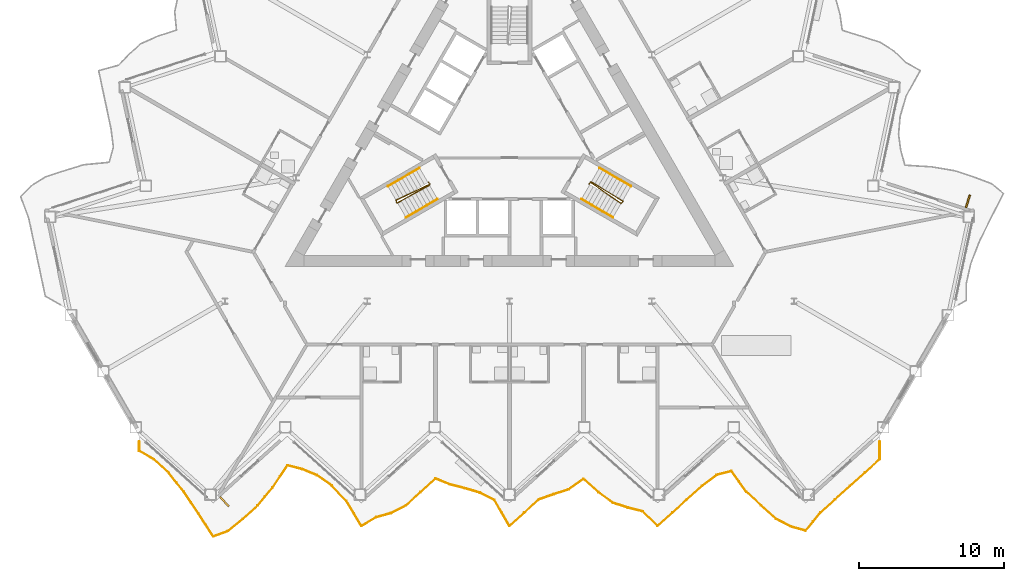
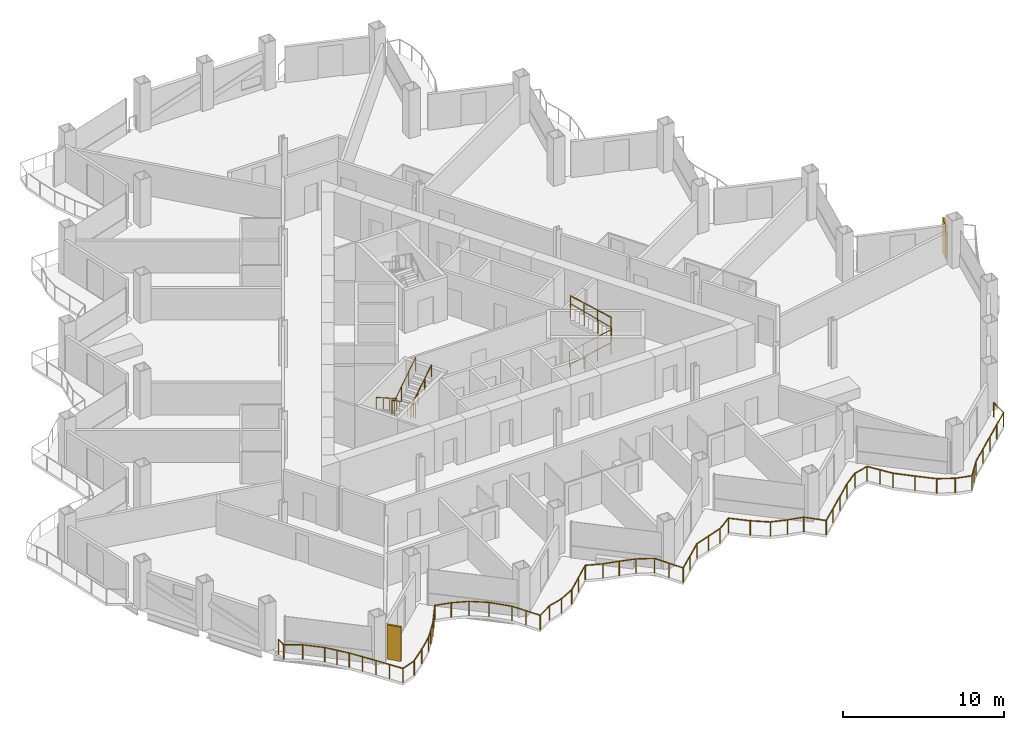
# One storey, part 19 of 23: 7 railings, 2 shading devices.
"""IFC4 building model written with IfcOpenShell, lengths in metres."""

from ifc_helpers import new_model, si_unit, direction, frame, origin, origin_2d, place, context, subcontext, project, spatial, rectangle, circle, extrude, material, layer, layer_set, type_object, element, save


model = new_model("IFC4")

# Units and contexts
model_context = context("Model", 3, precision=1e-05, world=origin(), true_north=direction((0.0, 1.0)))
body_context = subcontext(model_context, "Body", "Model", "MODEL_VIEW")
ifc_project = project(units=[si_unit("LENGTHUNIT", "METRE"), si_unit("AREAUNIT", "SQUARE_METRE"), si_unit("VOLUMEUNIT", "CUBIC_METRE"), si_unit("PLANEANGLEUNIT", "RADIAN"), si_unit("MASSUNIT", "GRAM", prefix="KILO")], contexts=[model_context])

# Site, building, storey
site_placement = place(None, origin())
site = spatial("IfcSite", under=ifc_project, at=site_placement, CompositionType="ELEMENT")
building_placement = place(site_placement, origin())
building = spatial("IfcBuilding", under=site, at=building_placement, Name="Cormorant Prow Tower", CompositionType="ELEMENT")
storey_placement = place(building_placement, frame((0.0, 0.0, 172.800048828125)))
storey = spatial("IfcBuildingStorey", under=building, at=storey_placement, Name="L36", CompositionType="ELEMENT", Elevation=172.800048828125)

# Railings
ifc_material_1 = material(Name="Aluminium 6063-T6", Category="aluminium")
railing_type_1 = type_object("IfcRailingType", Name="Balcony guard 1100", PredefinedType="GUARDRAIL", material=ifc_material_1)
railing_1_placement = place(storey_placement, frame((-25.57861328125, -21.064453125, 0.0)))
element("IfcRailing", 1, at=railing_1_placement, inside=storey, type_object=railing_type_1, Name="Balcony guard S", PredefinedType="GUARDRAIL", context=body_context, shape_type="SweptSolid", body=[
    extrude(circle(Radius=0.02392578125, at=origin_2d()), frame((0.0, 0.0, 1.076171875), z_axis=(0.0, -1.0, 0.0), x_axis=(1.0, 0.0, 0.0)), (0.0, 0.0, 1.0), 0.635986328125),
    extrude(circle(Radius=0.02392578125, at=origin_2d()), frame((0.0, -0.635986328125, 1.076171875), z_axis=(0.865369732792, -0.501133939748, 0.0), x_axis=(0.501133939748, 0.865369732792, 0.0)), (0.0, 0.0, 1.0), 1.182373046875),
    extrude(circle(Radius=0.02392578125, at=origin_2d()), frame((1.023193359375, -1.228515625, 1.076171875), z_axis=(0.737044630503, -0.675844074212, 0.0), x_axis=(0.675844074212, 0.737044630503, 0.0)), (0.0, 0.0, 1.0), 1.38818359375),
    extrude(circle(Radius=0.02392578125, at=origin_2d()), frame((2.04638671875, -2.166748046875, 1.076171875), z_axis=(0.624604168545, -0.780941503979, 0.0), x_axis=(0.780941503979, 0.624604168545, 0.0)), (0.0, 0.0, 1.0), 1.63818359375),
    extrude(circle(Radius=0.02392578125, at=origin_2d()), frame((3.069580078125, -3.446044921875, 1.076171875), z_axis=(0.558755771725, -0.829332254024, 0.0), x_axis=(0.829332254024, 0.558755771725, 0.0)), (0.0, 0.0, 1.0), 1.830810546875),
    extrude(circle(Radius=0.02392578125, at=origin_2d()), frame((4.092529296875, -4.96435546875, 1.076171875), z_axis=(0.541894185952, -0.840446721233, 0.0), x_axis=(0.840446721233, 0.541894185952, 0.0)), (0.0, 0.0, 1.0), 1.88818359375),
    extrude(circle(Radius=0.02392578125, at=origin_2d()), frame((5.11572265625, -6.55126953125, 1.076171875), z_axis=(0.938419551979, 0.345497821213, 0.0), x_axis=(-0.345497821213, 0.938419551979, 0.0)), (0.0, 0.0, 1.0), 1.09033203125),
    extrude(circle(Radius=0.02392578125, at=origin_2d()), frame((6.138916015625, -6.174560546875, 1.076171875), z_axis=(0.772600298956, 0.634892729564, 0.0), x_axis=(-0.634892729564, 0.772600298956, 0.0)), (0.0, 0.0, 1.0), 1.324462890625),
    extrude(circle(Radius=0.02392578125, at=origin_2d()), frame((7.162109375, -5.333740234375, 1.076171875), z_axis=(0.743108970185, 0.66917042555, 0.0), x_axis=(-0.66917042555, 0.743108970185, 0.0)), (0.0, 0.0, 1.0), 1.376953125),
    extrude(circle(Radius=0.02392578125, at=origin_2d()), frame((8.185302734375, -4.412353515625, 1.076171875), z_axis=(0.638534063687, 0.769593561246, 0.0), x_axis=(-0.769593561246, 0.638534063687, 0.0)), (0.0, 0.0, 1.0), 1.60205078125),
    extrude(circle(Radius=0.02392578125, at=origin_2d()), frame((9.208251953125, -3.179443359375, 1.076171875), z_axis=(0.55199216569, 0.833849296346, 0.0), x_axis=(-0.833849296346, 0.55199216569, 0.0)), (0.0, 0.0, 1.0), 1.853515625),
    extrude(circle(Radius=0.02392578125, at=origin_2d()), frame((10.2314453125, -1.6337890625, 1.076171875), z_axis=(0.968196134659, -0.250192415613, 0.0), x_axis=(0.250192415613, 0.968196134659, 0.0)), (0.0, 0.0, 1.0), 1.056884765625),
    extrude(circle(Radius=0.02392578125, at=origin_2d()), frame((11.254638671875, -1.898193359375, 1.076171875), z_axis=(0.925353395226, -0.379105650108, 0.0), x_axis=(0.379105650108, 0.925353395226, 0.0)), (0.0, 0.0, 1.0), 1.105712890625),
    extrude(circle(Radius=0.02392578125, at=origin_2d()), frame((12.27783203125, -2.3173828125, 1.076171875), z_axis=(0.818837032919, -0.574026056482, 0.0), x_axis=(0.574026056482, 0.818837032919, 0.0)), (0.0, 0.0, 1.0), 1.24951171875),
    extrude(circle(Radius=0.02392578125, at=origin_2d()), frame((13.301025390625, -3.03466796875, 1.076171875), z_axis=(0.689860705611, -0.723942129492, 0.0), x_axis=(0.723942129492, 0.689860705611, 0.0)), (0.0, 0.0, 1.0), 1.48291015625),
    extrude(circle(Radius=0.02392578125, at=origin_2d()), frame((14.323974609375, -4.108154296875, 1.076171875), z_axis=(0.511692052021, -0.859168926288, 0.0), x_axis=(0.859168926288, 0.511692052021, 0.0)), (0.0, 0.0, 1.0), 1.99951171875),
    extrude(circle(Radius=0.02392578125, at=origin_2d()), frame((15.34716796875, -5.826171875, 1.076171875), z_axis=(0.859891332532, 0.510477126065, 0.0), x_axis=(-0.510477126065, 0.859891332532, 0.0)), (0.0, 0.0, 1.0), 1.18994140625),
    extrude(circle(Radius=0.02392578125, at=origin_2d()), frame((16.370361328125, -5.21875, 1.076171875), z_axis=(0.964588333713, 0.263760016806, 0.0), x_axis=(-0.263760016806, 0.964588333713, 0.0)), (0.0, 0.0, 1.0), 1.060791015625),
    extrude(circle(Radius=0.02392578125, at=origin_2d()), frame((17.3935546875, -4.93896484375, 1.076171875), z_axis=(0.889102794107, 0.45770757205, 0.0), x_axis=(-0.45770757205, 0.889102794107, 0.0)), (0.0, 0.0, 1.0), 1.150634765625),
    extrude(circle(Radius=0.02392578125, at=origin_2d()), frame((18.41650390625, -4.412353515625, 1.076171875), z_axis=(0.743197144854, 0.669072495236, 0.0), x_axis=(-0.669072495236, 0.743197144854, 0.0)), (0.0, 0.0, 1.0), 1.376708984375),
    extrude(circle(Radius=0.02392578125, at=origin_2d()), frame((19.439697265625, -3.4912109375, 1.076171875), z_axis=(0.735819025592, 0.677178234719, 0.0), x_axis=(-0.677178234719, 0.735819025592, 0.0)), (0.0, 0.0, 1.0), 1.390625),
    extrude(circle(Radius=0.02392578125, at=origin_2d()), frame((20.462890625, -2.549560546875, 1.076171875), z_axis=(0.92843085009, -0.371505257838, 0.0), x_axis=(0.371505257838, 0.92843085009, 0.0)), (0.0, 0.0, 1.0), 1.10205078125),
    extrude(circle(Radius=0.02392578125, at=origin_2d()), frame((21.486083984375, -2.958984375, 1.076171875), z_axis=(0.968753639264, -0.24802497135, 0.0), x_axis=(0.24802497135, 0.968753639264, 0.0)), (0.0, 0.0, 1.0), 1.05615234375),
    extrude(circle(Radius=0.02392578125, at=origin_2d()), frame((22.50927734375, -3.220947265625, 1.076171875), z_axis=(0.959077058779, -0.283145184179, 0.0), x_axis=(0.283145184179, 0.959077058779, 0.0)), (0.0, 0.0, 1.0), 1.066650390625),
    extrude(circle(Radius=0.02392578125, at=origin_2d()), frame((23.5322265625, -3.52294921875, 1.076171875), z_axis=(0.891730183894, -0.45256743048, 0.0), x_axis=(0.45256743048, 0.891730183894, 0.0)), (0.0, 0.0, 1.0), 1.1474609375),
    extrude(circle(Radius=0.02392578125, at=origin_2d()), frame((24.555419921875, -4.042236328125, 1.076171875), z_axis=(0.497531823111, -0.867445724522, 0.0), x_axis=(0.867445724522, 0.497531823111, 0.0)), (0.0, 0.0, 1.0), 2.056640625),
    extrude(circle(Radius=0.02392578125, at=origin_2d()), frame((25.57861328125, -5.826171875, 1.076171875), z_axis=(0.743108970185, 0.66917042555, 0.0), x_axis=(-0.66917042555, 0.743108970185, 0.0)), (0.0, 0.0, 1.0), 1.376953125),
    extrude(circle(Radius=0.02392578125, at=origin_2d()), frame((26.601806640625, -4.90478515625, 1.076171875), z_axis=(0.743197144854, 0.669072495236, 0.0), x_axis=(-0.669072495236, 0.743197144854, 0.0)), (0.0, 0.0, 1.0), 1.376708984375),
    extrude(circle(Radius=0.02392578125, at=origin_2d()), frame((27.625, -3.983642578125, 1.076171875), z_axis=(0.945152226012, 0.326630172617, 0.0), x_axis=(-0.326630172617, 0.945152226012, 0.0)), (0.0, 0.0, 1.0), 1.082275390625),
    extrude(circle(Radius=0.02392578125, at=origin_2d()), frame((28.64794921875, -3.630126953125, 1.076171875), z_axis=(0.951438651786, 0.307838418473, 0.0), x_axis=(-0.307838418473, 0.951438651786, 0.0)), (0.0, 0.0, 1.0), 1.075439453125),
    extrude(circle(Radius=0.02392578125, at=origin_2d()), frame((29.671142578125, -3.299072265625, 1.076171875), z_axis=(0.81442879242, 0.580263510896, 0.0), x_axis=(-0.580263510896, 0.81442879242, 0.0)), (0.0, 0.0, 1.0), 1.25634765625),
    extrude(circle(Radius=0.02392578125, at=origin_2d()), frame((30.6943359375, -2.570068359375, 1.076171875), z_axis=(0.743197144854, -0.669072495236, 0.0), x_axis=(0.669072495236, 0.743197144854, 0.0)), (0.0, 0.0, 1.0), 1.376708984375),
    extrude(circle(Radius=0.02392578125, at=origin_2d()), frame((31.717529296875, -3.4912109375, 1.076171875), z_axis=(0.812041196675, -0.583600115578, 0.0), x_axis=(0.583600115578, 0.812041196675, 0.0)), (0.0, 0.0, 1.0), 1.260009765625),
    extrude(circle(Radius=0.02392578125, at=origin_2d()), frame((32.74072265625, -4.2265625, 1.076171875), z_axis=(0.950950641139, -0.309342654862, 0.0), x_axis=(0.309342654862, 0.950950641139, 0.0)), (0.0, 0.0, 1.0), 1.07568359375),
    extrude(circle(Radius=0.02392578125, at=origin_2d()), frame((33.763671875, -4.559326171875, 1.076171875), z_axis=(0.970400732326, -0.241500349276, 0.0), x_axis=(0.241500349276, 0.970400732326, 0.0)), (0.0, 0.0, 1.0), 1.054443359375),
    extrude(circle(Radius=0.02392578125, at=origin_2d()), frame((34.786865234375, -4.81396484375, 1.076171875), z_axis=(0.710913122536, -0.703279839187, 0.0), x_axis=(0.703279839187, 0.710913122536, 0.0)), (0.0, 0.0, 1.0), 1.439208984375),
    extrude(circle(Radius=0.02392578125, at=origin_2d()), frame((35.81005859375, -5.826171875, 1.076171875), z_axis=(0.743108970185, 0.66917042555, 0.0), x_axis=(-0.66917042555, 0.743108970185, 0.0)), (0.0, 0.0, 1.0), 1.376953125),
    extrude(circle(Radius=0.02392578125, at=origin_2d()), frame((36.833251953125, -4.90478515625, 1.076171875), z_axis=(0.743117745205, 0.669160680825, 0.0), x_axis=(-0.669160680825, 0.743117745205, 0.0)), (0.0, 0.0, 1.0), 1.37646484375),
    extrude(circle(Radius=0.02392578125, at=origin_2d()), frame((37.856201171875, -3.983642578125, 1.076171875), z_axis=(0.743197144854, 0.669072495236, 0.0), x_axis=(-0.669072495236, 0.743197144854, 0.0)), (0.0, 0.0, 1.0), 1.376708984375),
    extrude(circle(Radius=0.02392578125, at=origin_2d()), frame((38.87939453125, -3.0625, 1.076171875), z_axis=(0.798557204697, 0.601918923798, 0.0), x_axis=(-0.601918923798, 0.798557204697, 0.0)), (0.0, 0.0, 1.0), 1.28125),
    extrude(circle(Radius=0.02392578125, at=origin_2d()), frame((39.902587890625, -2.291259765625, 1.076171875), z_axis=(0.968975460604, 0.247156947599, 0.0), x_axis=(-0.247156947599, 0.968975460604, 0.0)), (0.0, 0.0, 1.0), 1.055908203125),
    extrude(circle(Radius=0.02392578125, at=origin_2d()), frame((40.92578125, -2.0302734375, 1.076171875), z_axis=(0.580347116889, -0.814369218426, 0.0), x_axis=(0.814369218426, 0.580347116889, 0.0)), (0.0, 0.0, 1.0), 1.76318359375),
    extrude(circle(Radius=0.02392578125, at=origin_2d()), frame((41.948974609375, -3.466064453125, 1.076171875), z_axis=(0.734077605902, -0.679065584839, 0.0), x_axis=(0.679065584839, 0.734077605902, 0.0)), (0.0, 0.0, 1.0), 1.3935546875),
    extrude(circle(Radius=0.02392578125, at=origin_2d()), frame((42.971923828125, -4.412353515625, 1.076171875), z_axis=(0.743108970185, -0.66917042555, 0.0), x_axis=(0.66917042555, 0.743108970185, 0.0)), (0.0, 0.0, 1.0), 1.376953125),
    extrude(circle(Radius=0.02392578125, at=origin_2d()), frame((43.9951171875, -5.333740234375, 1.076171875), z_axis=(0.886724390847, -0.462298447626, 0.0), x_axis=(0.462298447626, 0.886724390847, 0.0)), (0.0, 0.0, 1.0), 1.15380859375),
    extrude(circle(Radius=0.02392578125, at=origin_2d()), frame((45.018310546875, -5.8671875, 1.076171875), z_axis=(0.96423626766, -0.265044185241, 0.0), x_axis=(0.265044185241, 0.96423626766, 0.0)), (0.0, 0.0, 1.0), 1.06103515625),
    extrude(circle(Radius=0.02392578125, at=origin_2d()), frame((46.04150390625, -6.1484375, 1.076171875), z_axis=(0.635340536651, 0.772232091076, 0.0), x_axis=(-0.772232091076, 0.635340536651, 0.0)), (0.0, 0.0, 1.0), 1.6103515625),
    extrude(circle(Radius=0.02392578125, at=origin_2d()), frame((47.064697265625, -4.90478515625, 1.076171875), z_axis=(0.743117745205, 0.669160680825, 0.0), x_axis=(-0.669160680825, 0.743117745205, 0.0)), (0.0, 0.0, 1.0), 1.37646484375),
    extrude(circle(Radius=0.02392578125, at=origin_2d()), frame((48.087646484375, -3.983642578125, 1.076171875), z_axis=(0.743197144854, 0.669072495236, 0.0), x_axis=(-0.669072495236, 0.743197144854, 0.0)), (0.0, 0.0, 1.0), 1.376708984375),
    extrude(circle(Radius=0.02392578125, at=origin_2d()), frame((49.11083984375, -3.0625, 1.076171875), z_axis=(0.743108970185, 0.66917042555, 0.0), x_axis=(-0.66917042555, 0.743108970185, 0.0)), (0.0, 0.0, 1.0), 1.376953125),
    extrude(circle(Radius=0.02392578125, at=origin_2d()), frame((50.134033203125, -2.14111328125, 1.076171875), z_axis=(0.743197144854, 0.669072495236, 0.0), x_axis=(-0.669072495236, 0.743197144854, 0.0)), (0.0, 0.0, 1.0), 1.376708984375),
    extrude(circle(Radius=0.02392578125, at=origin_2d()), frame((51.1572265625, -1.219970703125, 1.076171875), z_axis=(0.0, 1.0, 0.0), x_axis=(-1.0, 0.0, 0.0)), (0.0, 0.0, 1.0), 1.219970703125),
    extrude(circle(Radius=0.02099609375, at=origin_2d()), origin(), (0.0, 0.0, 1.0), 1.052001953125),
    extrude(circle(Radius=0.02099609375, at=origin_2d()), frame((0.0, -0.635986328125, 0.0)), (0.0, 0.0, 1.0), 1.052001953125),
    extrude(circle(Radius=0.02099609375, at=origin_2d()), frame((1.023193359375, -1.228515625, 0.0)), (0.0, 0.0, 1.0), 1.052001953125),
    extrude(circle(Radius=0.02099609375, at=origin_2d()), frame((2.04638671875, -2.166748046875, 0.0)), (0.0, 0.0, 1.0), 1.052001953125),
    extrude(circle(Radius=0.02099609375, at=origin_2d()), frame((2.55810546875, -2.806396484375, 0.0)), (0.0, 0.0, 1.0), 1.052001953125),
    extrude(circle(Radius=0.02099609375, at=origin_2d()), frame((3.069580078125, -3.446044921875, 0.0)), (0.0, 0.0, 1.0), 1.052001953125),
    extrude(circle(Radius=0.02099609375, at=origin_2d()), frame((3.5810546875, -4.205078125, 0.0)), (0.0, 0.0, 1.0), 1.052001953125),
    extrude(circle(Radius=0.02099609375, at=origin_2d()), frame((4.092529296875, -4.96435546875, 0.0)), (0.0, 0.0, 1.0), 1.052001953125),
    extrude(circle(Radius=0.02099609375, at=origin_2d()), frame((4.60400390625, -5.7578125, 0.0)), (0.0, 0.0, 1.0), 1.052001953125),
    extrude(circle(Radius=0.02099609375, at=origin_2d()), frame((5.11572265625, -6.55126953125, 0.0)), (0.0, 0.0, 1.0), 1.052001953125),
    extrude(circle(Radius=0.02099609375, at=origin_2d()), frame((6.138916015625, -6.174560546875, 0.0)), (0.0, 0.0, 1.0), 1.052001953125),
    extrude(circle(Radius=0.02099609375, at=origin_2d()), frame((7.162109375, -5.333740234375, 0.0)), (0.0, 0.0, 1.0), 1.052001953125),
    extrude(circle(Radius=0.02099609375, at=origin_2d()), frame((8.185302734375, -4.412353515625, 0.0)), (0.0, 0.0, 1.0), 1.052001953125),
    extrude(circle(Radius=0.02099609375, at=origin_2d()), frame((8.69677734375, -3.7958984375, 0.0)), (0.0, 0.0, 1.0), 1.052001953125),
    extrude(circle(Radius=0.02099609375, at=origin_2d()), frame((9.208251953125, -3.179443359375, 0.0)), (0.0, 0.0, 1.0), 1.052001953125),
    extrude(circle(Radius=0.02099609375, at=origin_2d()), frame((9.7197265625, -2.40673828125, 0.0)), (0.0, 0.0, 1.0), 1.052001953125),
    extrude(circle(Radius=0.02099609375, at=origin_2d()), frame((10.2314453125, -1.6337890625, 0.0)), (0.0, 0.0, 1.0), 1.052001953125),
    extrude(circle(Radius=0.02099609375, at=origin_2d()), frame((11.254638671875, -1.898193359375, 0.0)), (0.0, 0.0, 1.0), 1.052001953125),
    extrude(circle(Radius=0.02099609375, at=origin_2d()), frame((12.27783203125, -2.3173828125, 0.0)), (0.0, 0.0, 1.0), 1.052001953125),
    extrude(circle(Radius=0.02099609375, at=origin_2d()), frame((13.301025390625, -3.03466796875, 0.0)), (0.0, 0.0, 1.0), 1.052001953125),
    extrude(circle(Radius=0.02099609375, at=origin_2d()), frame((14.323974609375, -4.108154296875, 0.0)), (0.0, 0.0, 1.0), 1.052001953125),
    extrude(circle(Radius=0.02099609375, at=origin_2d()), frame((14.83544921875, -4.96728515625, 0.0)), (0.0, 0.0, 1.0), 1.052001953125),
    extrude(circle(Radius=0.02099609375, at=origin_2d()), frame((15.34716796875, -5.826171875, 0.0)), (0.0, 0.0, 1.0), 1.052001953125),
    extrude(circle(Radius=0.02099609375, at=origin_2d()), frame((16.370361328125, -5.21875, 0.0)), (0.0, 0.0, 1.0), 1.052001953125),
    extrude(circle(Radius=0.02099609375, at=origin_2d()), frame((17.3935546875, -4.93896484375, 0.0)), (0.0, 0.0, 1.0), 1.052001953125),
    extrude(circle(Radius=0.02099609375, at=origin_2d()), frame((18.41650390625, -4.412353515625, 0.0)), (0.0, 0.0, 1.0), 1.052001953125),
    extrude(circle(Radius=0.02099609375, at=origin_2d()), frame((19.439697265625, -3.4912109375, 0.0)), (0.0, 0.0, 1.0), 1.052001953125),
    extrude(circle(Radius=0.02099609375, at=origin_2d()), frame((20.462890625, -2.549560546875, 0.0)), (0.0, 0.0, 1.0), 1.052001953125),
    extrude(circle(Radius=0.02099609375, at=origin_2d()), frame((21.486083984375, -2.958984375, 0.0)), (0.0, 0.0, 1.0), 1.052001953125),
    extrude(circle(Radius=0.02099609375, at=origin_2d()), frame((22.50927734375, -3.220947265625, 0.0)), (0.0, 0.0, 1.0), 1.052001953125),
    extrude(circle(Radius=0.02099609375, at=origin_2d()), frame((23.5322265625, -3.52294921875, 0.0)), (0.0, 0.0, 1.0), 1.052001953125),
    extrude(circle(Radius=0.02099609375, at=origin_2d()), frame((24.555419921875, -4.042236328125, 0.0)), (0.0, 0.0, 1.0), 1.052001953125),
    extrude(circle(Radius=0.02099609375, at=origin_2d()), frame((25.06689453125, -4.93408203125, 0.0)), (0.0, 0.0, 1.0), 1.052001953125),
    extrude(circle(Radius=0.02099609375, at=origin_2d()), frame((25.57861328125, -5.826171875, 0.0)), (0.0, 0.0, 1.0), 1.052001953125),
    extrude(circle(Radius=0.02099609375, at=origin_2d()), frame((26.601806640625, -4.90478515625, 0.0)), (0.0, 0.0, 1.0), 1.052001953125),
    extrude(circle(Radius=0.02099609375, at=origin_2d()), frame((27.625, -3.983642578125, 0.0)), (0.0, 0.0, 1.0), 1.052001953125),
    extrude(circle(Radius=0.02099609375, at=origin_2d()), frame((28.64794921875, -3.630126953125, 0.0)), (0.0, 0.0, 1.0), 1.052001953125),
    extrude(circle(Radius=0.02099609375, at=origin_2d()), frame((29.671142578125, -3.299072265625, 0.0)), (0.0, 0.0, 1.0), 1.052001953125),
    extrude(circle(Radius=0.02099609375, at=origin_2d()), frame((30.6943359375, -2.570068359375, 0.0)), (0.0, 0.0, 1.0), 1.052001953125),
    extrude(circle(Radius=0.02099609375, at=origin_2d()), frame((31.717529296875, -3.4912109375, 0.0)), (0.0, 0.0, 1.0), 1.052001953125),
    extrude(circle(Radius=0.02099609375, at=origin_2d()), frame((32.74072265625, -4.2265625, 0.0)), (0.0, 0.0, 1.0), 1.052001953125),
    extrude(circle(Radius=0.02099609375, at=origin_2d()), frame((33.763671875, -4.559326171875, 0.0)), (0.0, 0.0, 1.0), 1.052001953125),
    extrude(circle(Radius=0.02099609375, at=origin_2d()), frame((34.786865234375, -4.81396484375, 0.0)), (0.0, 0.0, 1.0), 1.052001953125),
    extrude(circle(Radius=0.02099609375, at=origin_2d()), frame((35.81005859375, -5.826171875, 0.0)), (0.0, 0.0, 1.0), 1.052001953125),
    extrude(circle(Radius=0.02099609375, at=origin_2d()), frame((36.833251953125, -4.90478515625, 0.0)), (0.0, 0.0, 1.0), 1.052001953125),
    extrude(circle(Radius=0.02099609375, at=origin_2d()), frame((37.856201171875, -3.983642578125, 0.0)), (0.0, 0.0, 1.0), 1.052001953125),
    extrude(circle(Radius=0.02099609375, at=origin_2d()), frame((38.87939453125, -3.0625, 0.0)), (0.0, 0.0, 1.0), 1.052001953125),
    extrude(circle(Radius=0.02099609375, at=origin_2d()), frame((39.902587890625, -2.291259765625, 0.0)), (0.0, 0.0, 1.0), 1.052001953125),
    extrude(circle(Radius=0.02099609375, at=origin_2d()), frame((40.92578125, -2.0302734375, 0.0)), (0.0, 0.0, 1.0), 1.052001953125),
    extrude(circle(Radius=0.02099609375, at=origin_2d()), frame((41.4375, -2.748046875, 0.0)), (0.0, 0.0, 1.0), 1.052001953125),
    extrude(circle(Radius=0.02099609375, at=origin_2d()), frame((41.948974609375, -3.466064453125, 0.0)), (0.0, 0.0, 1.0), 1.052001953125),
    extrude(circle(Radius=0.02099609375, at=origin_2d()), frame((42.971923828125, -4.412353515625, 0.0)), (0.0, 0.0, 1.0), 1.052001953125),
    extrude(circle(Radius=0.02099609375, at=origin_2d()), frame((43.9951171875, -5.333740234375, 0.0)), (0.0, 0.0, 1.0), 1.052001953125),
    extrude(circle(Radius=0.02099609375, at=origin_2d()), frame((45.018310546875, -5.8671875, 0.0)), (0.0, 0.0, 1.0), 1.052001953125),
    extrude(circle(Radius=0.02099609375, at=origin_2d()), frame((46.04150390625, -6.1484375, 0.0)), (0.0, 0.0, 1.0), 1.052001953125),
    extrude(circle(Radius=0.02099609375, at=origin_2d()), frame((46.55322265625, -5.526611328125, 0.0)), (0.0, 0.0, 1.0), 1.052001953125),
    extrude(circle(Radius=0.02099609375, at=origin_2d()), frame((47.064697265625, -4.90478515625, 0.0)), (0.0, 0.0, 1.0), 1.052001953125),
    extrude(circle(Radius=0.02099609375, at=origin_2d()), frame((48.087646484375, -3.983642578125, 0.0)), (0.0, 0.0, 1.0), 1.052001953125),
    extrude(circle(Radius=0.02099609375, at=origin_2d()), frame((49.11083984375, -3.0625, 0.0)), (0.0, 0.0, 1.0), 1.052001953125),
    extrude(circle(Radius=0.02099609375, at=origin_2d()), frame((50.134033203125, -2.14111328125, 0.0)), (0.0, 0.0, 1.0), 1.052001953125),
    extrude(circle(Radius=0.02099609375, at=origin_2d()), frame((51.1572265625, -1.219970703125, 0.0)), (0.0, 0.0, 1.0), 1.052001953125),
    extrude(circle(Radius=0.02099609375, at=origin_2d()), frame((51.1572265625, 0.0, 0.0)), (0.0, 0.0, 1.0), 1.052001953125),
])
ifc_material_2 = material(Name="Stainless steel", Category="steel")
railing_type_2 = type_object("IfcRailingType", Name="Stair guard 1100", PredefinedType="GUARDRAIL", material=ifc_material_2)
railing_2_placement = place(storey_placement, frame((-5.585205078125, -3.137939453125, 0.0)))
element("IfcRailing", 2, at=railing_2_placement, inside=storey, type_object=railing_type_2, Name="L36 ST1 stair guard 1", PredefinedType="GUARDRAIL", context=body_context, shape_type="SweptSolid", body=[
    extrude(circle(Radius=0.02392578125, at=origin_2d()), frame((0.0, 0.0, 1.076171875), z_axis=(0.501036270542, -0.865426285481, 0.0), x_axis=(0.865426285481, 0.501036270542, 0.0)), (0.0, 0.0, 1.0), 0.150146484375),
    extrude(circle(Radius=0.02392578125, at=origin_2d()), frame((0.0751953125, -0.1298828125, 1.076171875), z_axis=(-0.739707038506, -0.353624380995, 0.572523619033), x_axis=(0.431308035802, -0.902204731895, 0.0)), (0.0, 0.0, 1.0), 3.14404296875),
    extrude(circle(Radius=0.02392578125, at=origin_2d()), frame((-2.25048828125, -1.24169921875, 2.8759765625), z_axis=(0.274721127897, -0.961523947641, 0.0), x_axis=(0.961523947641, 0.274721127897, 0.0)), (0.0, 0.0, 1.0), 0.2060546875),
    extrude(circle(Radius=0.02392578125, at=origin_2d()), frame((-2.19384765625, -1.43994140625, 2.8759765625), z_axis=(0.717255481879, 0.395700334183, 0.573555419504), x_axis=(-0.483052234887, 0.87559153626, 0.0)), (0.0, 0.0, 1.0), 3.137939453125),
    extrude(circle(Radius=0.02099609375, at=origin_2d()), origin(), (0.0, 0.0, 1.0), 1.052001953125),
    extrude(circle(Radius=0.02099609375, at=origin_2d()), frame((0.0751953125, -0.1298828125, 0.0)), (0.0, 0.0, 1.0), 1.052001953125),
    extrude(circle(Radius=0.02099609375, at=origin_2d()), frame((-0.699951171875, -0.50048828125, 0.60009765625)), (0.0, 0.0, 1.0), 1.052001953125),
    extrude(circle(Radius=0.02099609375, at=origin_2d()), frame((-1.475341796875, -0.87109375, 1.199951171875)), (0.0, 0.0, 1.0), 1.052001953125),
    extrude(circle(Radius=0.02099609375, at=origin_2d()), frame((-2.25048828125, -1.24169921875, 1.800048828125)), (0.0, 0.0, 1.0), 1.052001953125),
    extrude(circle(Radius=0.02099609375, at=origin_2d()), frame((-2.19384765625, -1.43994140625, 1.800048828125)), (0.0, 0.0, 1.0), 1.052001953125),
    extrude(circle(Radius=0.02099609375, at=origin_2d()), frame((-1.443603515625, -1.026123046875, 2.39990234375)), (0.0, 0.0, 1.0), 1.052001953125),
    extrude(circle(Radius=0.02099609375, at=origin_2d()), frame((-0.693359375, -0.612060546875, 3.0)), (0.0, 0.0, 1.0), 1.052001953125),
    extrude(circle(Radius=0.02099609375, at=origin_2d()), frame((0.056884765625, -0.1982421875, 3.599853515625)), (0.0, 0.0, 1.0), 1.052001953125),
])
railing_3_placement = place(storey_placement, frame((5.510009765625, -3.267822265625, 0.0)))
element("IfcRailing", 3, at=railing_3_placement, inside=storey, type_object=railing_type_2, Name="L36 ST2 stair guard 1", PredefinedType="GUARDRAIL", context=body_context, shape_type="SweptSolid", body=[
    extrude(circle(Radius=0.02392578125, at=origin_2d()), frame((0.0, 0.0, 1.076171875), z_axis=(0.501036270542, 0.865426285481, 0.0), x_axis=(-0.865426285481, 0.501036270542, 0.0)), (0.0, 0.0, 1.0), 0.150146484375),
    extrude(circle(Radius=0.02392578125, at=origin_2d()), frame((0.0751953125, 0.1298828125, 1.076171875), z_axis=(0.676058237057, -0.463829066155, 0.572545070276), x_axis=(0.565732651216, 0.824588726183, 0.0)), (0.0, 0.0, 1.0), 3.14404296875),
    extrude(circle(Radius=0.02392578125, at=origin_2d()), frame((2.20068359375, -1.328369140625, 2.8759765625), z_axis=(0.695164929852, 0.718850276695, 0.0), x_axis=(-0.718850276695, 0.695164929852, 0.0)), (0.0, 0.0, 1.0), 0.2060546875),
    extrude(circle(Radius=0.02392578125, at=origin_2d()), frame((2.343994140625, -1.18017578125, 2.8759765625), z_axis=(-0.701307540925, 0.423320870887, 0.573556599922), x_axis=(-0.516770599887, -0.856123908726, 0.0)), (0.0, 0.0, 1.0), 3.137939453125),
    extrude(circle(Radius=0.02099609375, at=origin_2d()), origin(), (0.0, 0.0, 1.0), 1.052001953125),
    extrude(circle(Radius=0.02099609375, at=origin_2d()), frame((0.0751953125, 0.1298828125, 0.0)), (0.0, 0.0, 1.0), 1.052001953125),
    extrude(circle(Radius=0.02099609375, at=origin_2d()), frame((0.78369140625, -0.356201171875, 0.60009765625)), (0.0, 0.0, 1.0), 1.052001953125),
    extrude(circle(Radius=0.02099609375, at=origin_2d()), frame((1.4921875, -0.84228515625, 1.199951171875)), (0.0, 0.0, 1.0), 1.052001953125),
    extrude(circle(Radius=0.02099609375, at=origin_2d()), frame((2.20068359375, -1.328369140625, 1.800048828125)), (0.0, 0.0, 1.0), 1.052001953125),
    extrude(circle(Radius=0.02099609375, at=origin_2d()), frame((2.343994140625, -1.18017578125, 1.800048828125)), (0.0, 0.0, 1.0), 1.052001953125),
    extrude(circle(Radius=0.02099609375, at=origin_2d()), frame((1.6103515625, -0.7373046875, 2.39990234375)), (0.0, 0.0, 1.0), 1.052001953125),
    extrude(circle(Radius=0.02099609375, at=origin_2d()), frame((0.876953125, -0.294677734375, 3.0)), (0.0, 0.0, 1.0), 1.052001953125),
    extrude(circle(Radius=0.02099609375, at=origin_2d()), frame((0.143310546875, 0.148193359375, 3.599853515625)), (0.0, 0.0, 1.0), 1.052001953125),
])
ifc_material_3 = material(Name="Stainless steel", Category="steel")
railing_type_3 = type_object("IfcRailingType", Name="Stair handrail 900", PredefinedType="HANDRAIL", material=ifc_material_3)
railing_4_placement = place(storey_placement, frame((-6.212890625, -2.150634765625, 0.179931640625)))
element("IfcRailing", 4, at=railing_4_placement, inside=storey, type_object=railing_type_3, Name="L36 ST1 stair handrail 1", PredefinedType="HANDRAIL", context=body_context, shape_type="SweptSolid", body=[
    extrude(circle(Radius=0.02392578125, at=origin_2d()), frame((0.0, 0.0, 0.8759765625), z_axis=(-0.728463801763, -0.420584145978, 0.540785970299), x_axis=(0.500004791531, -0.866022637375, 0.0)), (0.0, 0.0, 1.0), 2.995849609375),
    extrude(circle(Radius=0.02099609375, at=origin_2d()), origin(), (0.0, 0.0, 1.0), 0.851806640625),
    extrude(circle(Radius=0.02099609375, at=origin_2d()), frame((-0.7275390625, -0.419921875, 0.5400390625)), (0.0, 0.0, 1.0), 0.851806640625),
    extrude(circle(Radius=0.02099609375, at=origin_2d()), frame((-1.454833984375, -0.840087890625, 1.080078125)), (0.0, 0.0, 1.0), 0.851806640625),
    extrude(circle(Radius=0.02099609375, at=origin_2d()), frame((-2.182373046875, -1.260009765625, 1.6201171875)), (0.0, 0.0, 1.0), 0.851806640625),
])
railing_5_placement = place(storey_placement, frame((-7.1513671875, -5.565185546875, 1.97998046875)))
element("IfcRailing", 5, at=railing_5_placement, inside=storey, type_object=railing_type_3, Name="L36 ST1 stair handrail 2", PredefinedType="HANDRAIL", context=body_context, shape_type="SweptSolid", body=[
    extrude(circle(Radius=0.02392578125, at=origin_2d()), frame((0.0, 0.0, 0.8759765625), z_axis=(0.72849590497, 0.42060268101, 0.54072830624), x_axis=(-0.500004791531, 0.866022637375, 0.0)), (0.0, 0.0, 1.0), 2.99560546875),
    extrude(circle(Radius=0.02099609375, at=origin_2d()), origin(), (0.0, 0.0, 1.0), 0.851806640625),
    extrude(circle(Radius=0.02099609375, at=origin_2d()), frame((0.7275390625, 0.419921875, 0.5400390625)), (0.0, 0.0, 1.0), 0.851806640625),
    extrude(circle(Radius=0.02099609375, at=origin_2d()), frame((1.454833984375, 0.840087890625, 1.079833984375)), (0.0, 0.0, 1.0), 0.851806640625),
    extrude(circle(Radius=0.02099609375, at=origin_2d()), frame((2.182373046875, 1.260009765625, 1.619873046875)), (0.0, 0.0, 1.0), 0.851806640625),
])
railing_6_placement = place(storey_placement, frame((4.968994140625, -4.30517578125, 0.179931640625)))
element("IfcRailing", 6, at=railing_6_placement, inside=storey, type_object=railing_type_3, Name="L36 ST2 stair handrail 1", PredefinedType="HANDRAIL", context=body_context, shape_type="SweptSolid", body=[
    extrude(circle(Radius=0.02392578125, at=origin_2d()), frame((0.0, 0.0, 0.8759765625), z_axis=(0.728463801763, -0.420584145978, 0.540785970299), x_axis=(0.500004791531, 0.866022637375, 0.0)), (0.0, 0.0, 1.0), 2.995849609375),
    extrude(circle(Radius=0.02099609375, at=origin_2d()), origin(), (0.0, 0.0, 1.0), 0.851806640625),
    extrude(circle(Radius=0.02099609375, at=origin_2d()), frame((0.7275390625, -0.419921875, 0.5400390625)), (0.0, 0.0, 1.0), 0.851806640625),
    extrude(circle(Radius=0.02099609375, at=origin_2d()), frame((1.454833984375, -0.840087890625, 1.080078125)), (0.0, 0.0, 1.0), 0.851806640625),
    extrude(circle(Radius=0.02099609375, at=origin_2d()), frame((2.182373046875, -1.260009765625, 1.6201171875)), (0.0, 0.0, 1.0), 0.851806640625),
])
railing_7_placement = place(storey_placement, frame((8.395263671875, -3.41064453125, 1.97998046875)))
element("IfcRailing", 7, at=railing_7_placement, inside=storey, type_object=railing_type_3, Name="L36 ST2 stair handrail 2", PredefinedType="HANDRAIL", context=body_context, shape_type="SweptSolid", body=[
    extrude(circle(Radius=0.02392578125, at=origin_2d()), frame((0.0, 0.0, 0.8759765625), z_axis=(-0.72849590497, 0.42060268101, 0.54072830624), x_axis=(-0.500004791531, -0.866022637375, 0.0)), (0.0, 0.0, 1.0), 2.99560546875),
    extrude(circle(Radius=0.02099609375, at=origin_2d()), origin(), (0.0, 0.0, 1.0), 0.851806640625),
    extrude(circle(Radius=0.02099609375, at=origin_2d()), frame((-0.7275390625, 0.419921875, 0.5400390625)), (0.0, 0.0, 1.0), 0.851806640625),
    extrude(circle(Radius=0.02099609375, at=origin_2d()), frame((-1.454833984375, 0.840087890625, 1.079833984375)), (0.0, 0.0, 1.0), 0.851806640625),
    extrude(circle(Radius=0.02099609375, at=origin_2d()), frame((-2.182373046875, 1.260009765625, 1.619873046875)), (0.0, 0.0, 1.0), 0.851806640625),
])

# Shading devices
ifc_material_4 = material(Name="Terracotta", Category="masonry")
ifc_layer = layer(ifc_material_4, 0.1201171875)
ifc_layer_set = layer_set([ifc_layer], Name="Terracotta")
shading_device_type = type_object("IfcShadingDeviceType", Name="Terracotta baguette fin 120x900x2600", PredefinedType="USERDEFINED", material=ifc_layer_set)
for number, where, z_axis, x_axis, name in (
    (8, (-19.695068359375, -25.204833984375, 0.0), (0.0, 0.0, 1.0), (0.743144866726, 0.669130560548, 0.0), "Baguette fin S01"),
    (9, (31.675537109375, -4.4541015625, 0.0), (0.0, 0.0, 1.0), (-0.951056492009, 0.309017069121, 0.0), "Baguette fin ENE01"),
):
    element("IfcShadingDevice", number, at=place(storey_placement, frame(where, z_axis=z_axis, x_axis=x_axis)), inside=storey, type_object=shading_device_type, Name=name, ObjectType="BAGUETTE", PredefinedType="USERDEFINED", context=body_context, shape_type="SweptSolid", body=[
        extrude(rectangle(XDim=0.1201171875, YDim=0.89990234375, at=origin_2d()), origin(), (0.0, 0.0, 1.0), 2.60009765625),
    ])

save(model, "model.ifc")
